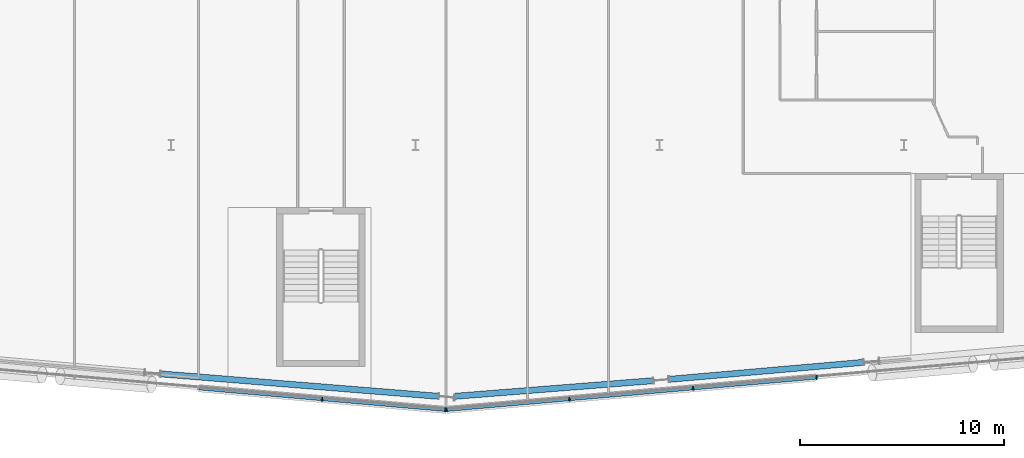
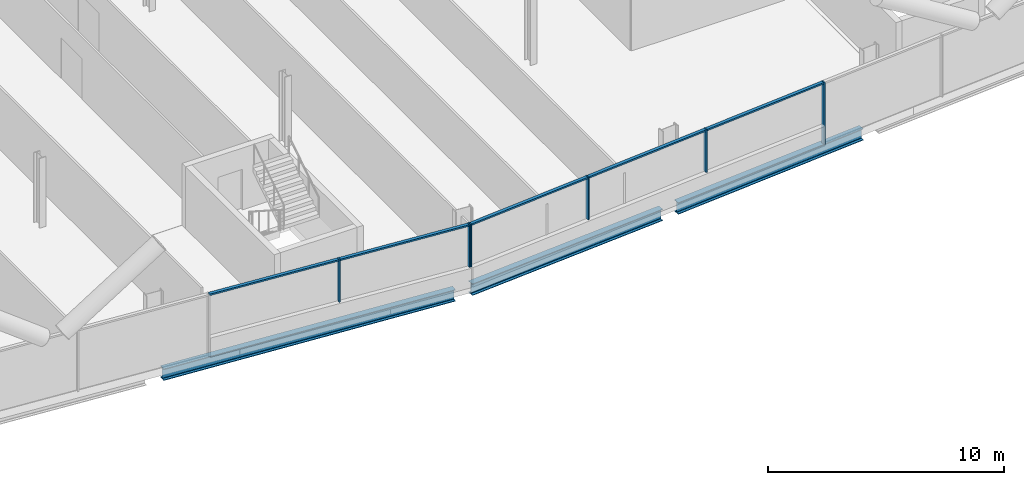
# One storey, part 7 of 26: 11 members, 3 beams, 2 elements without a shape of their own.
"""IFC4 building model written with IfcOpenShell, lengths in metres."""

from ifc_helpers import new_model, si_unit, direction, frame, origin, origin_2d, place, context, subcontext, project, spatial, rectangle, i_section, extrude, material, material_profile, profile_set, type_object, element, aggregate, save


model = new_model("IFC4")

# Units and contexts
model_context = context("Model", 3, precision=1e-05, world=origin(), true_north=direction((0.0, 1.0)))
body_context = subcontext(model_context, "Body", "Model", "MODEL_VIEW")
ifc_project = project(units=[si_unit("LENGTHUNIT", "METRE"), si_unit("AREAUNIT", "SQUARE_METRE"), si_unit("VOLUMEUNIT", "CUBIC_METRE"), si_unit("PLANEANGLEUNIT", "RADIAN"), si_unit("MASSUNIT", "GRAM", prefix="KILO")], contexts=[model_context])

# Site, building, storey
site_placement = place(None, origin())
site = spatial("IfcSite", under=ifc_project, at=site_placement, CompositionType="ELEMENT")
building_placement = place(site_placement, origin())
building = spatial("IfcBuilding", under=site, at=building_placement, Name="Wharfspan Tower", CompositionType="ELEMENT")
storey_placement = place(building_placement, frame((0.0, 0.0, 125.5)))
storey = spatial("IfcBuildingStorey", under=building, at=storey_placement, Name="L29", CompositionType="ELEMENT", Elevation=125.5)

# Beams
ifc_material_1 = material(Name="Steel S355J2", Category="steel")
ifc_material_profile_1 = material_profile(ifc_material_1, i_section(OverallWidth=0.300049, OverallDepth=0.600098, WebThickness=0.015381, FlangeThickness=0.030029, FilletRadius=0.0271, at=origin_2d()))
ifc_profile_set_1 = profile_set([ifc_material_profile_1], Name="Steel S355J2")
beam_type = type_object("IfcBeamType", Name="Edge beam HEB 600", PredefinedType="SPANDREL", material=ifc_profile_set_1)
beam_1_placement = place(storey_placement, frame((35.490967, 0.252197, -0.699951), z_axis=(0.996756, -0.080488, 0.0), x_axis=(0.080488, 0.996756, 0.0)))
element("IfcBeam", 1, at=beam_1_placement, inside=storey, type_object=beam_type, Name="Edge beam S1 L29 PS1.3 to PS1.4", PredefinedType="SPANDREL", context=body_context, shape_type="SweptSolid", body=[
    extrude(i_section(OverallWidth=0.300049, OverallDepth=0.600098, WebThickness=0.015381, FlangeThickness=0.030029, FilletRadius=0.0271, at=origin_2d()), origin(), (0.0, 0.0, 1.0), 13.683105),
])
beam_2_placement = place(storey_placement, frame((49.938721, -0.849365, -0.699951), z_axis=(0.996913, 0.078508, 0.0), x_axis=(-0.078508, 0.996913, 0.0)))
element("IfcBeam", 2, at=beam_2_placement, inside=storey, type_object=beam_type, Name="Edge beam S2 L29 PS1.4 to PS2.1", PredefinedType="SPANDREL", context=body_context, shape_type="SweptSolid", body=[
    extrude(i_section(OverallWidth=0.300049, OverallDepth=0.600098, WebThickness=0.015381, FlangeThickness=0.030029, FilletRadius=0.0271, at=origin_2d()), origin(), (0.0, 0.0, 1.0), 9.767578),
])
beam_3_placement = place(storey_placement, frame((60.479492, -0.015625, -0.699951), z_axis=(0.996194, 0.087164, 0.0), x_axis=(-0.087164, 0.996194, 0.0)))
element("IfcBeam", 3, at=beam_3_placement, inside=storey, type_object=beam_type, Name="Edge beam S2 L29 PS2.1 to PS2.2", PredefinedType="SPANDREL", context=body_context, shape_type="SweptSolid", body=[
    extrude(i_section(OverallWidth=0.300049, OverallDepth=0.600098, WebThickness=0.015381, FlangeThickness=0.030029, FilletRadius=0.0271, at=origin_2d()), origin(), (0.0, 0.0, 1.0), 9.55957),
])

# Curtain wall, members
ifc_material_2 = material(Name="Aluminium 6063-T6", Category="aluminium")
curtain_wall_type = type_object("IfcCurtainWallType", Name="CURTAIN WALL FACETED FRONT", PredefinedType="NOTDEFINED", material=ifc_material_2)
curtain_wall_1_placement = place(storey_placement, origin())
curtain_wall_1 = element("IfcCurtainWall", 4, at=curtain_wall_1_placement, inside=storey, type_object=curtain_wall_type, Name="Curtain wall S1", PredefinedType="NOTDEFINED")
ifc_material_profile_2 = material_profile(ifc_material_2, rectangle(XDim=0.199951, YDim=0.060059, at=origin_2d()))
ifc_profile_set_2 = profile_set([ifc_material_profile_2], Name="Aluminium 6063-T6")
member_type_1 = type_object("IfcMemberType", Name="MULLION FACETED FRONT 60x200", PredefinedType="MULLION", material=ifc_profile_set_2)
member_1_placement = place(storey_placement, frame((43.416748, -0.986084, 1.0), z_axis=(0.0, 0.0, 1.0), x_axis=(0.087156, 0.996198, 0.0)))
member_1 = element("IfcMember", 5, at=member_1_placement, type_object=member_type_1, Name="Curtain wall S1 mullion 6", PredefinedType="MULLION", context=body_context, shape_type="SweptSolid", body=[
    extrude(rectangle(XDim=0.199951, YDim=0.060059, at=origin_2d()), origin(), (0.0, 0.0, 1.0), 2.199951),
])
member_2_placement = place(storey_placement, frame((49.470215, -1.515625, 1.0), z_axis=(0.0, 0.0, 1.0), x_axis=(0.087156, 0.996198, 0.0)))
member_2 = element("IfcMember", 6, at=member_2_placement, type_object=member_type_1, Name="Curtain wall S1 mullion 7", PredefinedType="MULLION", context=body_context, shape_type="SweptSolid", body=[
    extrude(rectangle(XDim=0.199951, YDim=0.060059, at=origin_2d()), origin(), (0.0, 0.0, 1.0), 2.199951),
])

curtain_wall_2_placement = place(storey_placement, origin())
curtain_wall_2 = element("IfcCurtainWall", 7, at=curtain_wall_2_placement, inside=storey, type_object=curtain_wall_type, Name="Curtain wall S2", PredefinedType="NOTDEFINED")
member_3_placement = place(storey_placement, frame((49.529785, -1.515625, 1.0), z_axis=(0.0, 0.0, 1.0), x_axis=(-0.087156, 0.996198, 0.0)))
member_3 = element("IfcMember", 8, at=member_3_placement, type_object=member_type_1, Name="Curtain wall S2 mullion 1", PredefinedType="MULLION", context=body_context, shape_type="SweptSolid", body=[
    extrude(rectangle(XDim=0.199951, YDim=0.060059, at=origin_2d()), origin(), (0.0, 0.0, 1.0), 2.199951),
])
member_4_placement = place(storey_placement, frame((55.571533, -0.987061, 1.0), z_axis=(0.0, 0.0, 1.0), x_axis=(-0.087156, 0.996198, 0.0)))
member_4 = element("IfcMember", 9, at=member_4_placement, type_object=member_type_1, Name="Curtain wall S2 mullion 2", PredefinedType="MULLION", context=body_context, shape_type="SweptSolid", body=[
    extrude(rectangle(XDim=0.199951, YDim=0.060059, at=origin_2d()), origin(), (0.0, 0.0, 1.0), 2.199951),
])
member_5_placement = place(storey_placement, frame((61.642822, -0.455811, 1.0), z_axis=(0.0, 0.0, 1.0), x_axis=(-0.087156, 0.996198, 0.0)))
member_5 = element("IfcMember", 10, at=member_5_placement, type_object=member_type_1, Name="Curtain wall S2 mullion 3", PredefinedType="MULLION", context=body_context, shape_type="SweptSolid", body=[
    extrude(rectangle(XDim=0.199951, YDim=0.060059, at=origin_2d()), origin(), (0.0, 0.0, 1.0), 2.199951),
])
member_6_placement = place(storey_placement, frame((67.714355, 0.075195, 0.0), z_axis=(0.0, 0.0, 1.0), x_axis=(-0.087156, 0.996198, 0.0)))
member_6 = element("IfcMember", 11, at=member_6_placement, type_object=member_type_1, Name="Curtain wall S2 mullion 4", PredefinedType="MULLION", context=body_context, shape_type="SweptSolid", body=[
    extrude(rectangle(XDim=0.199951, YDim=0.060059, at=origin_2d()), origin(), (0.0, 0.0, 1.0), 3.199951),
])

# Member
ifc_material_profile_3 = material_profile(ifc_material_2, rectangle(XDim=0.159912, YDim=0.080078, at=origin_2d()))
ifc_profile_set_3 = profile_set([ifc_material_profile_3], Name="Aluminium 6063-T6")
member_type_2 = type_object("IfcMemberType", Name="TRANSOM FACETED FRONT 80x160", PredefinedType="USERDEFINED", material=ifc_profile_set_3)
member_7_placement = place(storey_placement, frame((37.363281, -0.456543, 3.159912), z_axis=(0.996197, -0.087135, 0.0), x_axis=(0.087135, 0.996197, 0.0)))
member_7 = element("IfcMember", 12, at=member_7_placement, type_object=member_type_2, Name="Curtain wall S1 transom 5", ObjectType="TRANSOM", PredefinedType="USERDEFINED", context=body_context, shape_type="SweptSolid", body=[
    extrude(rectangle(XDim=0.159912, YDim=0.080078, at=origin_2d()), origin(), (0.0, 0.0, 1.0), 6.046387),
])

member_8_placement = place(storey_placement, frame((43.446533, -0.98877, 3.159912), z_axis=(0.996198, -0.087122, 0.0), x_axis=(0.087122, 0.996198, 0.0)))
member_8 = element("IfcMember", 13, at=member_8_placement, type_object=member_type_2, Name="Curtain wall S1 transom 6", ObjectType="TRANSOM", PredefinedType="USERDEFINED", context=body_context, shape_type="SweptSolid", body=[
    extrude(rectangle(XDim=0.159912, YDim=0.080078, at=origin_2d()), origin(), (0.0, 0.0, 1.0), 6.016602),
])

aggregate(curtain_wall_1, [member_1, member_2, member_7, member_8])

member_9_placement = place(storey_placement, frame((49.559814, -1.512939, 3.159912), z_axis=(0.996197, 0.087133, 0.0), x_axis=(-0.087133, 0.996197, 0.0)))
member_9 = element("IfcMember", 14, at=member_9_placement, type_object=member_type_2, Name="Curtain wall S2 transom 1", ObjectType="TRANSOM", PredefinedType="USERDEFINED", context=body_context, shape_type="SweptSolid", body=[
    extrude(rectangle(XDim=0.159912, YDim=0.080078, at=origin_2d()), origin(), (0.0, 0.0, 1.0), 6.004639),
])

member_10_placement = place(storey_placement, frame((55.601318, -0.984375, 3.159912), z_axis=(0.996196, 0.087143, 0.0), x_axis=(-0.087143, 0.996196, 0.0)))
member_10 = element("IfcMember", 15, at=member_10_placement, type_object=member_type_2, Name="Curtain wall S2 transom 2", ObjectType="TRANSOM", PredefinedType="USERDEFINED", context=body_context, shape_type="SweptSolid", body=[
    extrude(rectangle(XDim=0.159912, YDim=0.080078, at=origin_2d()), origin(), (0.0, 0.0, 1.0), 6.034668),
])

member_11_placement = place(storey_placement, frame((61.672852, -0.453369, 3.159912), z_axis=(0.996192, 0.087187, 0.0), x_axis=(-0.087187, 0.996192, 0.0)))
member_11 = element("IfcMember", 16, at=member_11_placement, type_object=member_type_2, Name="Curtain wall S2 transom 3", ObjectType="TRANSOM", PredefinedType="USERDEFINED", context=body_context, shape_type="SweptSolid", body=[
    extrude(rectangle(XDim=0.159912, YDim=0.080078, at=origin_2d()), origin(), (0.0, 0.0, 1.0), 6.034424),
])

aggregate(curtain_wall_2, [member_3, member_4, member_5, member_6, member_9, member_10, member_11])

save(model, "model.ifc")
